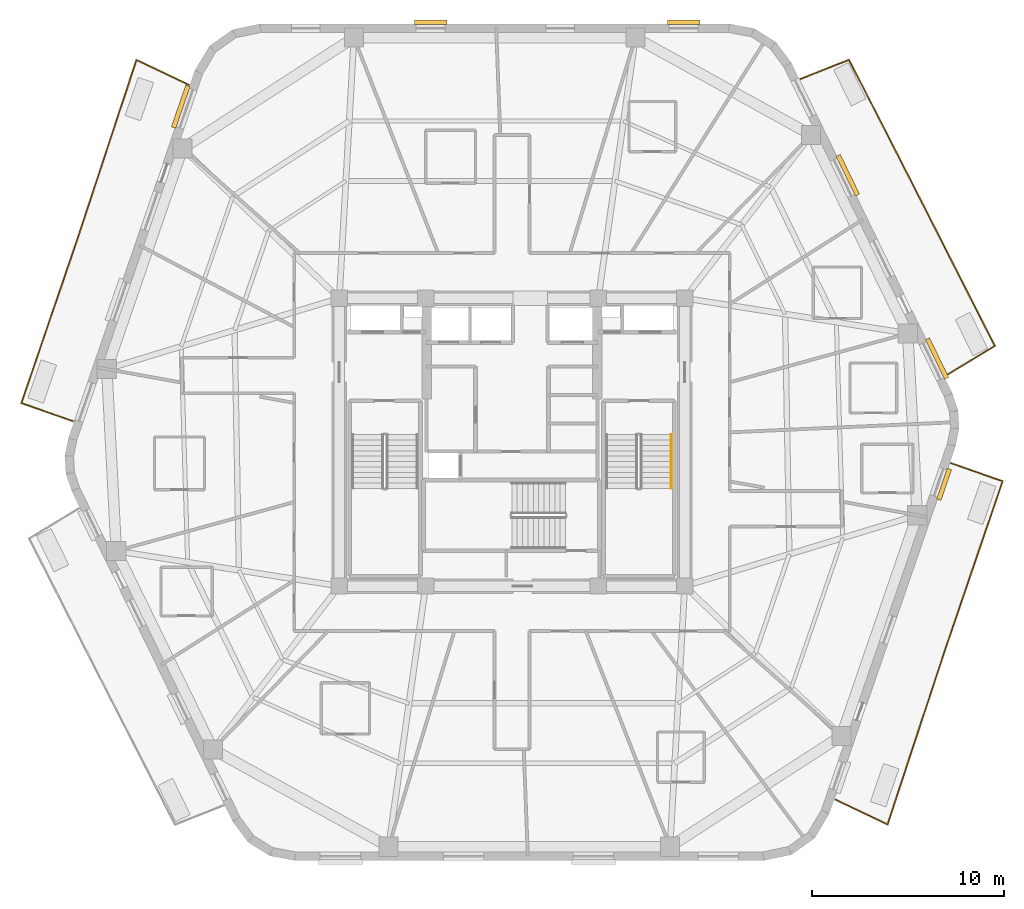
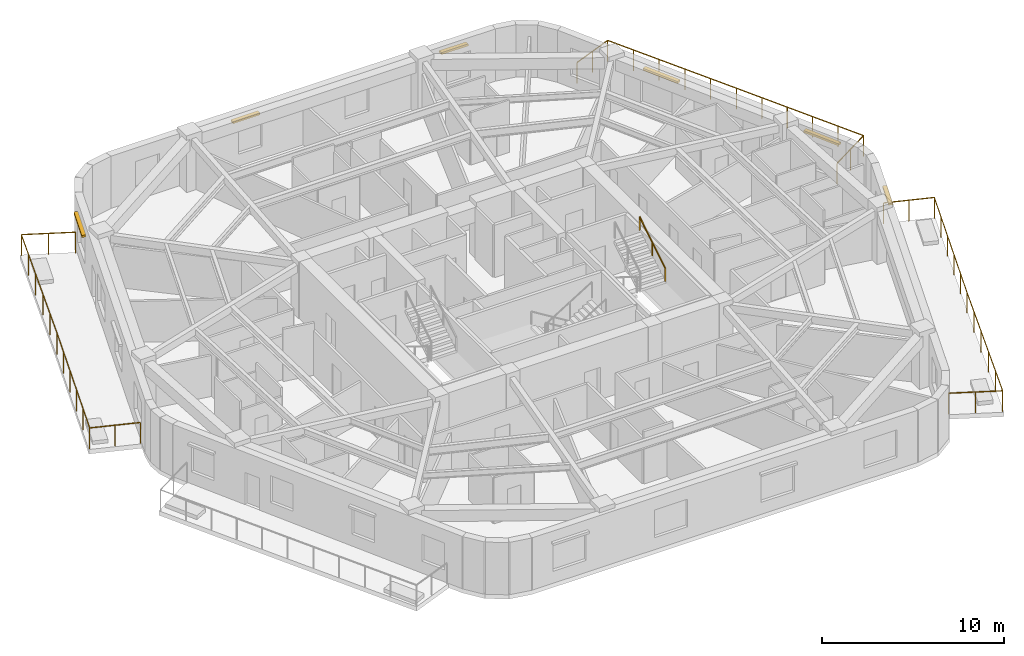
# One storey, part 10 of 10: 6 shading devices, 4 railings.
"""IFC4 building model written with IfcOpenShell, lengths in metres."""

from ifc_helpers import new_model, si_unit, direction, frame, origin, origin_2d, place, context, subcontext, project, spatial, rectangle, extrude, material, layer, layer_set, type_object, element, save


model = new_model("IFC4")

# Units and contexts
model_context = context("Model", 3, precision=1e-05, world=origin(), true_north=direction((0.0, 1.0)))
body_context = subcontext(model_context, "Body", "Model", "MODEL_VIEW")
ifc_project = project(units=[si_unit("LENGTHUNIT", "METRE"), si_unit("AREAUNIT", "SQUARE_METRE"), si_unit("VOLUMEUNIT", "CUBIC_METRE"), si_unit("PLANEANGLEUNIT", "RADIAN"), si_unit("MASSUNIT", "GRAM", prefix="KILO")], contexts=[model_context])

# Site, building, storey
site_placement = place(None, origin())
site = spatial("IfcSite", under=ifc_project, at=site_placement, CompositionType="ELEMENT")
building_placement = place(site_placement, origin())
building = spatial("IfcBuilding", under=site, at=building_placement, Name="Kilnhurst Terrace Hotel", CompositionType="ELEMENT")
storey_placement = place(building_placement, frame((0.0, 0.0, 206.5)))
storey = spatial("IfcBuildingStorey", under=building, at=storey_placement, Name="L51", CompositionType="ELEMENT", Elevation=206.5)

# Railings
ifc_material_1 = material(Name="Laminated SentryGlas and Stainless Steel AISI 316L Balustrade", Category="steel")
ifc_layer_1 = layer(ifc_material_1, 0.070068359375, Name="Laminated SentryGlas and Stainless Steel AISI 316L Balustrade")
ifc_layer_set_1 = layer_set([ifc_layer_1], Name="Laminated SentryGlas and Stainless Steel AISI 316L Balustrade")
railing_type_1 = type_object("IfcRailingType", Name="RLG-BAL-1420", PredefinedType="BALUSTRADE", material=ifc_layer_set_1)
railing_1_placement = place(storey_placement, frame((22.894287109375, -1.1005859375, 0.0)))
element("IfcRailing", 1, at=railing_1_placement, inside=storey, type_object=railing_type_1, Name="L51 Exterior Terrace Guardrail BAL-L1A.1", PredefinedType="BALUSTRADE", context=body_context, shape_type="SweptSolid", body=[
    extrude(rectangle(XDim=0.048095703125, YDim=0.048095703125, at=origin_2d()), frame((0.0, 0.0, 1.39599609375), z_axis=(0.943611810029, -0.331054001597, 0.0), x_axis=(0.331054001597, 0.943611810029, 0.0)), (0.0, 0.0, 1.0), 2.828125),
    extrude(rectangle(XDim=0.048095703125, YDim=0.048095703125, at=origin_2d()), frame((2.668701171875, -0.936279296875, 1.39599609375), z_axis=(-0.322845243604, -0.946451767753, 0.0), x_axis=(0.946451767753, -0.322845243604, 0.0)), (0.0, 0.0, 1.0), 9.19775390625),
    extrude(rectangle(XDim=0.048095703125, YDim=0.048095703125, at=origin_2d()), frame((-0.30078125, -9.6416015625, 1.39599609375), z_axis=(-0.316227766017, -0.948683298051, 0.0), x_axis=(0.948683298051, -0.316227766017, 0.0)), (0.0, 0.0, 1.0), 0.000732421875),
    extrude(rectangle(XDim=0.048095703125, YDim=0.048095703125, at=origin_2d()), frame((-0.301025390625, -9.642333984375, 1.39599609375), z_axis=(-0.31308682558, -0.949724507238, 0.0), x_axis=(0.949724507238, -0.31308682558, 0.0)), (0.0, 0.0, 1.0), 9.6591796875),
    extrude(rectangle(XDim=0.048095703125, YDim=0.048095703125, at=origin_2d()), frame((-3.3251953125, -18.81591796875, 1.39599609375), z_axis=(-0.902564652544, 0.430554349622, 0.0), x_axis=(-0.430554349622, -0.902564652544, 0.0)), (0.0, 0.0, 1.0), 2.99169921875),
    extrude(rectangle(XDim=0.0419921875, YDim=0.0419921875, at=origin_2d()), origin(), (0.0, 0.0, 1.0), 1.371826171875),
    extrude(rectangle(XDim=0.0419921875, YDim=0.0419921875, at=origin_2d()), frame((1.33447265625, -0.46826171875, 0.0)), (0.0, 0.0, 1.0), 1.371826171875),
    extrude(rectangle(XDim=0.0419921875, YDim=0.0419921875, at=origin_2d()), frame((2.668701171875, -0.936279296875, 0.0)), (0.0, 0.0, 1.0), 1.371826171875),
    extrude(rectangle(XDim=0.0419921875, YDim=0.0419921875, at=origin_2d()), frame((2.07470703125, -2.67724609375, 0.0)), (0.0, 0.0, 1.0), 1.371826171875),
    extrude(rectangle(XDim=0.0419921875, YDim=0.0419921875, at=origin_2d()), frame((1.48095703125, -4.41845703125, 0.0)), (0.0, 0.0, 1.0), 1.371826171875),
    extrude(rectangle(XDim=0.0419921875, YDim=0.0419921875, at=origin_2d()), frame((0.886962890625, -6.159423828125, 0.0)), (0.0, 0.0, 1.0), 1.371826171875),
    extrude(rectangle(XDim=0.0419921875, YDim=0.0419921875, at=origin_2d()), frame((0.293212890625, -7.900634765625, 0.0)), (0.0, 0.0, 1.0), 1.371826171875),
    extrude(rectangle(XDim=0.0419921875, YDim=0.0419921875, at=origin_2d()), frame((-0.30078125, -9.6416015625, 0.0)), (0.0, 0.0, 1.0), 1.371826171875),
    extrude(rectangle(XDim=0.0419921875, YDim=0.0419921875, at=origin_2d()), frame((-0.301025390625, -9.642333984375, 0.0)), (0.0, 0.0, 1.0), 1.371826171875),
    extrude(rectangle(XDim=0.0419921875, YDim=0.0419921875, at=origin_2d()), frame((-0.90576171875, -11.47705078125, 0.0)), (0.0, 0.0, 1.0), 1.371826171875),
    extrude(rectangle(XDim=0.0419921875, YDim=0.0419921875, at=origin_2d()), frame((-1.5107421875, -13.311767578125, 0.0)), (0.0, 0.0, 1.0), 1.371826171875),
    extrude(rectangle(XDim=0.0419921875, YDim=0.0419921875, at=origin_2d()), frame((-2.115478515625, -15.146484375, 0.0)), (0.0, 0.0, 1.0), 1.371826171875),
    extrude(rectangle(XDim=0.0419921875, YDim=0.0419921875, at=origin_2d()), frame((-2.720458984375, -16.981201171875, 0.0)), (0.0, 0.0, 1.0), 1.371826171875),
    extrude(rectangle(XDim=0.0419921875, YDim=0.0419921875, at=origin_2d()), frame((-3.3251953125, -18.81591796875, 0.0)), (0.0, 0.0, 1.0), 1.371826171875),
    extrude(rectangle(XDim=0.0419921875, YDim=0.0419921875, at=origin_2d()), frame((-4.67529296875, -18.171875, 0.0)), (0.0, 0.0, 1.0), 1.371826171875),
    extrude(rectangle(XDim=0.0419921875, YDim=0.0419921875, at=origin_2d()), frame((-6.025390625, -17.52783203125, 0.0)), (0.0, 0.0, 1.0), 1.371826171875),
])
railing_2_placement = place(storey_placement, frame((15.0546875, 18.933349609375, 0.0)))
element("IfcRailing", 2, at=railing_2_placement, inside=storey, type_object=railing_type_1, Name="L51 Exterior Terrace Guardrail BAL-L1B.1", PredefinedType="BALUSTRADE", context=body_context, shape_type="SweptSolid", body=[
    extrude(rectangle(XDim=0.048095703125, YDim=0.048095703125, at=origin_2d()), frame((0.0, 0.0, 1.39599609375), z_axis=(0.929913162101, 0.367779160574, 0.0), x_axis=(-0.367779160574, 0.929913162101, 0.0)), (0.0, 0.0, 1.0), 2.694580078125),
    extrude(rectangle(XDim=0.048095703125, YDim=0.048095703125, at=origin_2d()), frame((2.505615234375, 0.990966796875, 1.39599609375), z_axis=(0.455129479154, -0.890425267614, 0.0), x_axis=(0.890425267614, 0.455129479154, 0.0)), (0.0, 0.0, 1.0), 8.4072265625),
    extrude(rectangle(XDim=0.048095703125, YDim=0.048095703125, at=origin_2d()), frame((6.33203125, -6.4951171875, 1.39599609375), z_axis=(0.45338853952, -0.891312982196, 0.0), x_axis=(0.891312982196, 0.45338853952, 0.0)), (0.0, 0.0, 1.0), 8.320068359375),
    extrude(rectangle(XDim=0.048095703125, YDim=0.048095703125, at=origin_2d()), frame((10.104248046875, -13.910888671875, 1.39599609375), z_axis=(-0.854990626614, -0.518643450168, 0.0), x_axis=(0.518643450168, -0.854990626614, 0.0)), (0.0, 0.0, 1.0), 3.008056640625),
    extrude(rectangle(XDim=0.0419921875, YDim=0.0419921875, at=origin_2d()), origin(), (0.0, 0.0, 1.0), 1.371826171875),
    extrude(rectangle(XDim=0.0419921875, YDim=0.0419921875, at=origin_2d()), frame((1.2529296875, 0.49560546875, 0.0)), (0.0, 0.0, 1.0), 1.371826171875),
    extrude(rectangle(XDim=0.0419921875, YDim=0.0419921875, at=origin_2d()), frame((2.505615234375, 0.990966796875, 0.0)), (0.0, 0.0, 1.0), 1.371826171875),
    extrude(rectangle(XDim=0.0419921875, YDim=0.0419921875, at=origin_2d()), frame((3.27099609375, -0.50634765625, 0.0)), (0.0, 0.0, 1.0), 1.371826171875),
    extrude(rectangle(XDim=0.0419921875, YDim=0.0419921875, at=origin_2d()), frame((4.0361328125, -2.00341796875, 0.0)), (0.0, 0.0, 1.0), 1.371826171875),
    extrude(rectangle(XDim=0.0419921875, YDim=0.0419921875, at=origin_2d()), frame((4.801513671875, -3.500732421875, 0.0)), (0.0, 0.0, 1.0), 1.371826171875),
    extrude(rectangle(XDim=0.0419921875, YDim=0.0419921875, at=origin_2d()), frame((5.566650390625, -4.997802734375, 0.0)), (0.0, 0.0, 1.0), 1.371826171875),
    extrude(rectangle(XDim=0.0419921875, YDim=0.0419921875, at=origin_2d()), frame((6.33203125, -6.4951171875, 0.0)), (0.0, 0.0, 1.0), 1.371826171875),
    extrude(rectangle(XDim=0.0419921875, YDim=0.0419921875, at=origin_2d()), frame((7.08642578125, -7.978271484375, 0.0)), (0.0, 0.0, 1.0), 1.371826171875),
    extrude(rectangle(XDim=0.0419921875, YDim=0.0419921875, at=origin_2d()), frame((7.8408203125, -9.46142578125, 0.0)), (0.0, 0.0, 1.0), 1.371826171875),
    extrude(rectangle(XDim=0.0419921875, YDim=0.0419921875, at=origin_2d()), frame((8.595458984375, -10.944580078125, 0.0)), (0.0, 0.0, 1.0), 1.371826171875),
    extrude(rectangle(XDim=0.0419921875, YDim=0.0419921875, at=origin_2d()), frame((9.349853515625, -12.427734375, 0.0)), (0.0, 0.0, 1.0), 1.371826171875),
    extrude(rectangle(XDim=0.0419921875, YDim=0.0419921875, at=origin_2d()), frame((10.104248046875, -13.910888671875, 0.0)), (0.0, 0.0, 1.0), 1.371826171875),
    extrude(rectangle(XDim=0.0419921875, YDim=0.0419921875, at=origin_2d()), frame((8.818359375, -14.69091796875, 0.0)), (0.0, 0.0, 1.0), 1.371826171875),
    extrude(rectangle(XDim=0.0419921875, YDim=0.0419921875, at=origin_2d()), frame((7.532470703125, -15.470947265625, 0.0)), (0.0, 0.0, 1.0), 1.371826171875),
])
railing_3_placement = place(storey_placement, frame((-22.894287109375, 1.1005859375, 0.0)))
element("IfcRailing", 3, at=railing_3_placement, inside=storey, type_object=railing_type_1, Name="L51 Exterior Terrace Guardrail BAL-L2A.1", PredefinedType="BALUSTRADE", context=body_context, shape_type="SweptSolid", body=[
    extrude(rectangle(XDim=0.048095703125, YDim=0.048095703125, at=origin_2d()), frame((0.0, 0.0, 1.39599609375), z_axis=(-0.943611810029, 0.331054001597, 0.0), x_axis=(-0.331054001597, -0.943611810029, 0.0)), (0.0, 0.0, 1.0), 2.828125),
    extrude(rectangle(XDim=0.048095703125, YDim=0.048095703125, at=origin_2d()), frame((-2.668701171875, 0.936279296875, 1.39599609375), z_axis=(0.322845243604, 0.946451767753, 0.0), x_axis=(-0.946451767753, 0.322845243604, 0.0)), (0.0, 0.0, 1.0), 9.19775390625),
    extrude(rectangle(XDim=0.048095703125, YDim=0.048095703125, at=origin_2d()), frame((0.30078125, 9.6416015625, 1.39599609375), z_axis=(0.316227766017, 0.948683298051, 0.0), x_axis=(-0.948683298051, 0.316227766017, 0.0)), (0.0, 0.0, 1.0), 0.000732421875),
    extrude(rectangle(XDim=0.048095703125, YDim=0.048095703125, at=origin_2d()), frame((0.301025390625, 9.642333984375, 1.39599609375), z_axis=(0.31308682558, 0.949724507238, 0.0), x_axis=(-0.949724507238, 0.31308682558, 0.0)), (0.0, 0.0, 1.0), 9.6591796875),
    extrude(rectangle(XDim=0.048095703125, YDim=0.048095703125, at=origin_2d()), frame((3.3251953125, 18.81591796875, 1.39599609375), z_axis=(0.902564652544, -0.430554349622, 0.0), x_axis=(0.430554349622, 0.902564652544, 0.0)), (0.0, 0.0, 1.0), 2.99169921875),
    extrude(rectangle(XDim=0.0419921875, YDim=0.0419921875, at=origin_2d()), origin(), (0.0, 0.0, 1.0), 1.371826171875),
    extrude(rectangle(XDim=0.0419921875, YDim=0.0419921875, at=origin_2d()), frame((-1.33447265625, 0.46826171875, 0.0)), (0.0, 0.0, 1.0), 1.371826171875),
    extrude(rectangle(XDim=0.0419921875, YDim=0.0419921875, at=origin_2d()), frame((-2.668701171875, 0.936279296875, 0.0)), (0.0, 0.0, 1.0), 1.371826171875),
    extrude(rectangle(XDim=0.0419921875, YDim=0.0419921875, at=origin_2d()), frame((-2.07470703125, 2.67724609375, 0.0)), (0.0, 0.0, 1.0), 1.371826171875),
    extrude(rectangle(XDim=0.0419921875, YDim=0.0419921875, at=origin_2d()), frame((-1.48095703125, 4.41845703125, 0.0)), (0.0, 0.0, 1.0), 1.371826171875),
    extrude(rectangle(XDim=0.0419921875, YDim=0.0419921875, at=origin_2d()), frame((-0.886962890625, 6.159423828125, 0.0)), (0.0, 0.0, 1.0), 1.371826171875),
    extrude(rectangle(XDim=0.0419921875, YDim=0.0419921875, at=origin_2d()), frame((-0.293212890625, 7.900634765625, 0.0)), (0.0, 0.0, 1.0), 1.371826171875),
    extrude(rectangle(XDim=0.0419921875, YDim=0.0419921875, at=origin_2d()), frame((0.30078125, 9.6416015625, 0.0)), (0.0, 0.0, 1.0), 1.371826171875),
    extrude(rectangle(XDim=0.0419921875, YDim=0.0419921875, at=origin_2d()), frame((0.301025390625, 9.642333984375, 0.0)), (0.0, 0.0, 1.0), 1.371826171875),
    extrude(rectangle(XDim=0.0419921875, YDim=0.0419921875, at=origin_2d()), frame((0.90576171875, 11.47705078125, 0.0)), (0.0, 0.0, 1.0), 1.371826171875),
    extrude(rectangle(XDim=0.0419921875, YDim=0.0419921875, at=origin_2d()), frame((1.5107421875, 13.311767578125, 0.0)), (0.0, 0.0, 1.0), 1.371826171875),
    extrude(rectangle(XDim=0.0419921875, YDim=0.0419921875, at=origin_2d()), frame((2.115478515625, 15.146484375, 0.0)), (0.0, 0.0, 1.0), 1.371826171875),
    extrude(rectangle(XDim=0.0419921875, YDim=0.0419921875, at=origin_2d()), frame((2.720458984375, 16.981201171875, 0.0)), (0.0, 0.0, 1.0), 1.371826171875),
    extrude(rectangle(XDim=0.0419921875, YDim=0.0419921875, at=origin_2d()), frame((3.3251953125, 18.81591796875, 0.0)), (0.0, 0.0, 1.0), 1.371826171875),
    extrude(rectangle(XDim=0.0419921875, YDim=0.0419921875, at=origin_2d()), frame((4.67529296875, 18.171875, 0.0)), (0.0, 0.0, 1.0), 1.371826171875),
    extrude(rectangle(XDim=0.0419921875, YDim=0.0419921875, at=origin_2d()), frame((6.025390625, 17.52783203125, 0.0)), (0.0, 0.0, 1.0), 1.371826171875),
])
ifc_material_2 = material(Name="Brushed Stainless Steel AISI 304", Category="steel")
ifc_layer_2 = layer(ifc_material_2, 0.048095703125, Name="Brushed Stainless Steel AISI 304")
ifc_layer_set_2 = layer_set([ifc_layer_2], Name="Brushed Stainless Steel AISI 304")
railing_type_2 = type_object("IfcRailingType", Name="RLG-ST-HRL-900", PredefinedType="HANDRAIL", material=ifc_layer_set_2)
railing_4_placement = place(storey_placement, frame((8.300048828125, -2.409912109375, 2.07275390625)))
element("IfcRailing", 4, at=railing_4_placement, inside=storey, type_object=railing_type_2, Name="L51 ST-2 stair handrail 2", PredefinedType="HANDRAIL", context=body_context, shape_type="SweptSolid", body=[
    extrude(rectangle(XDim=0.048095703125, YDim=0.048095703125, at=origin_2d()), frame((0.0, 0.0, 0.8759765625), z_axis=(0.0, 0.851069175582, 0.525053576669), x_axis=(-1.0, 0.0, 0.0)), (0.0, 0.0, 1.0), 3.289794921875),
    extrude(rectangle(XDim=0.0419921875, YDim=0.0419921875, at=origin_2d()), origin(), (0.0, 0.0, 1.0), 0.851806640625),
    extrude(rectangle(XDim=0.0419921875, YDim=0.0419921875, at=origin_2d()), frame((0.0, 1.39990234375, 0.86376953125)), (0.0, 0.0, 1.0), 0.851806640625),
    extrude(rectangle(XDim=0.0419921875, YDim=0.0419921875, at=origin_2d()), frame((0.0, 2.7998046875, 1.727294921875)), (0.0, 0.0, 1.0), 0.851806640625),
])

# Shading devices
ifc_material_3 = material(Name="Terracotta Baguette Sunshade on Aluminium Alloy 6063-T6", Category="masonry")
ifc_layer_3 = layer(ifc_material_3, 0.199951171875, Name="Terracotta Baguette Sunshade on Aluminium Alloy 6063-T6")
ifc_layer_set_3 = layer_set([ifc_layer_3], Name="Terracotta Baguette Sunshade on Aluminium Alloy 6063-T6")
shading_device_type = type_object("IfcShadingDeviceType", Name="SHD-SUN-200", PredefinedType="JALOUSIE", material=ifc_layer_set_3)
shading_device_1_placement = place(storey_placement, frame((22.5185546875, -2.193115234375, 2.6298828125), z_axis=(0.0, 0.0, 1.0), x_axis=(0.325089542819, 0.94568323933, 0.0)))
element("IfcShadingDevice", 5, at=shading_device_1_placement, inside=storey, type_object=shading_device_type, Name="L51 Terracotta Window Sunshade F2.3", PredefinedType="JALOUSIE", context=body_context, shape_type="SweptSolid", body=[
    extrude(rectangle(XDim=1.699951171875, YDim=0.239990234375, at=origin_2d()), origin(), (0.0, 0.0, 1.0), 0.139892578125),
])
for number, where, z_axis, x_axis, name in (
    (6, (22.1533203125, 4.353271484375, 2.68017578125), (0.0, 0.0, 1.0), (-0.437743563395, 0.899099868038, 0.0), "L51 Terracotta Window Sunshade F3.1"),
    (7, (17.50048828125, 13.909912109375, 2.68017578125), (0.0, 0.0, 1.0), (-0.437743563395, 0.899099868038, 0.0), "L51 Terracotta Window Sunshade F3.3"),
):
    element("IfcShadingDevice", number, at=place(storey_placement, frame(where, z_axis=z_axis, x_axis=x_axis)), inside=storey, type_object=shading_device_type, Name=name, PredefinedType="JALOUSIE", context=body_context, shape_type="SweptSolid", body=[
        extrude(rectangle(XDim=2.300048828125, YDim=0.239990234375, at=origin_2d()), origin(), (0.0, 0.0, 1.0), 0.139892578125),
    ])
for number, where, z_axis, x_axis, name in (
    (8, (8.943603515625, 21.8798828125, 2.6298828125), (0.0, 0.0, 1.0), (-1.0, 0.0, 0.0), "L51 Terracotta Window Sunshade F4.1"),
    (9, (-4.240234375, 21.8798828125, 2.6298828125), (0.0, 0.0, 1.0), (-1.0, 0.0, 0.0), "L51 Terracotta Window Sunshade F4.3"),
):
    element("IfcShadingDevice", number, at=place(storey_placement, frame(where, z_axis=z_axis, x_axis=x_axis)), inside=storey, type_object=shading_device_type, Name=name, PredefinedType="JALOUSIE", context=body_context, shape_type="SweptSolid", body=[
        extrude(rectangle(XDim=1.699951171875, YDim=0.239990234375, at=origin_2d()), origin(), (0.0, 0.0, 1.0), 0.139892578125),
    ])
shading_device_2_placement = place(storey_placement, frame((-17.263671875, 17.47998046875, 2.68017578125), z_axis=(0.0, 0.0, 1.0), x_axis=(-0.325089542819, -0.94568323933, 0.0)))
element("IfcShadingDevice", 10, at=shading_device_2_placement, inside=storey, type_object=shading_device_type, Name="L51 Terracotta Window Sunshade F5.1", PredefinedType="JALOUSIE", context=body_context, shape_type="SweptSolid", body=[
    extrude(rectangle(XDim=2.300048828125, YDim=0.239990234375, at=origin_2d()), origin(), (0.0, 0.0, 1.0), 0.139892578125),
])

save(model, "model.ifc")
